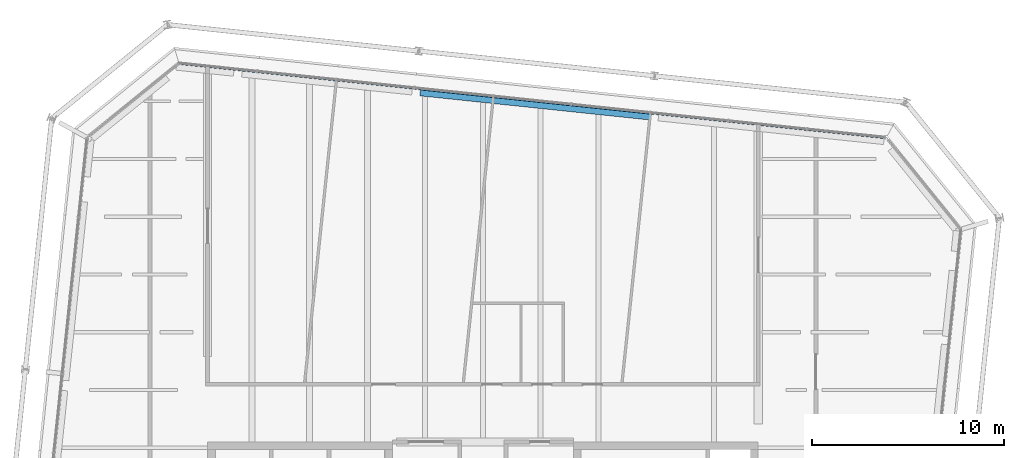
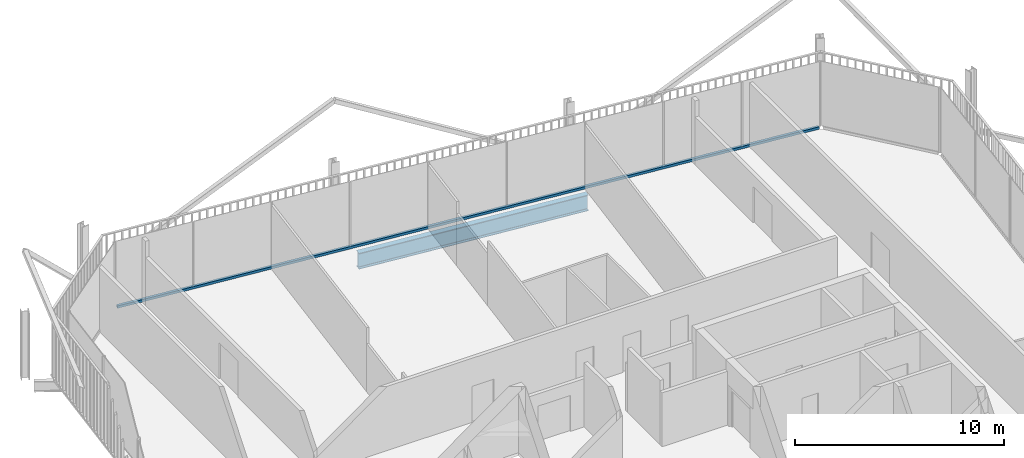
# One storey, part 13 of 21: 1 beam, 1 member, 1 element without a shape of its own.
"""IFC4 building model written with IfcOpenShell, lengths in metres."""

from ifc_helpers import new_model, si_unit, direction, frame, origin, origin_2d, place, context, subcontext, project, spatial, rectangle, i_section, extrude, material, layer, layer_set, material_profile, profile_set, type_object, element, aggregate, save


model = new_model("IFC4")

# Units and contexts
model_context = context("Model", 3, precision=1e-05, world=origin(), true_north=direction((0.0, 1.0)))
body_context = subcontext(model_context, "Body", "Model", "MODEL_VIEW")
ifc_project = project(units=[si_unit("LENGTHUNIT", "METRE"), si_unit("AREAUNIT", "SQUARE_METRE"), si_unit("VOLUMEUNIT", "CUBIC_METRE"), si_unit("PLANEANGLEUNIT", "RADIAN"), si_unit("MASSUNIT", "GRAM", prefix="KILO")], contexts=[model_context])

# Site, building, storey
site_placement = place(None, origin())
site = spatial("IfcSite", under=ifc_project, at=site_placement, CompositionType="ELEMENT")
building_placement = place(site_placement, origin())
building = spatial("IfcBuilding", under=site, at=building_placement, Name="Millrace Tower", CompositionType="ELEMENT")
storey_placement = place(building_placement, frame((0.0, 0.0, 276.0)))
storey = spatial("IfcBuildingStorey", under=building, at=storey_placement, Name="L63", CompositionType="ELEMENT", Elevation=276.0)

# Curtain wall, member
ifc_material_1 = material(Name="Aluminium and glass", Category="aluminium")
ifc_layer = layer(ifc_material_1, 0.14990234375)
ifc_layer_set = layer_set([ifc_layer], Name="Aluminium and glass")
curtain_wall_type = type_object("IfcCurtainWallType", Name="CW-1 office vision curtain wall", PredefinedType="NOTDEFINED", material=ifc_layer_set)
curtain_wall_placement = place(storey_placement, origin())
curtain_wall = element("IfcCurtainWall", 1, at=curtain_wall_placement, inside=storey, type_object=curtain_wall_type, Name="Curtain wall E-F06 L63", PredefinedType="NOTDEFINED")
ifc_material_2 = material(Name="Aluminium", Category="aluminium")
ifc_material_profile_1 = material_profile(ifc_material_2, rectangle(XDim=0.14990234375, YDim=0.139892578125, at=origin_2d()))
ifc_profile_set_1 = profile_set([ifc_material_profile_1], Name="Aluminium")
member_type = type_object("IfcMemberType", Name="CW-1 office vision curtain wall transom", PredefinedType="USERDEFINED", material=ifc_profile_set_1)
member_placement = place(storey_placement, frame((20.83544921875, 25.1318359375, 0.070068359375), z_axis=(-0.994521952886, 0.104527916025, 0.0), x_axis=(-0.104527916025, -0.994521952886, 0.0)))
member = element("IfcMember", 2, at=member_placement, type_object=member_type, Name="CW1 transom E-F06.1", ObjectType="TRANSOM", PredefinedType="USERDEFINED", context=body_context, shape_type="SweptSolid", body=[
    extrude(rectangle(XDim=0.14990234375, YDim=0.139892578125, at=origin_2d()), origin(), (0.0, 0.0, 1.0), 36.699951171875),
])
aggregate(curtain_wall, [member])

# Beam
ifc_material_3 = material(Name="Steel ASTM A992 Grade 50", Category="steel")
ifc_material_profile_2 = material_profile(ifc_material_3, i_section(OverallWidth=0.307373046875, OverallDepth=0.927001953125, WebThickness=0.01953125, FlangeThickness=0.031982421875, FilletRadius=0.01904296875, at=origin_2d()))
ifc_profile_set_2 = profile_set([ifc_material_profile_2], Name="Steel ASTM A992 Grade 50")
beam_type = type_object("IfcBeamType", Name="Ring beam medium span W36x194", PredefinedType="SPANDREL", material=ifc_profile_set_2)
beam_placement = place(storey_placement, frame((-3.26318359375, 27.434814453125, -0.62353515625), z_axis=(0.994521595967, -0.104531311843, 0.0), x_axis=(0.104531311843, 0.994521595967, 0.0)))
element("IfcBeam", 3, at=beam_placement, inside=storey, type_object=beam_type, Name="RNG-E-L63-S1-06", PredefinedType="SPANDREL", context=body_context, shape_type="SweptSolid", body=[
    extrude(i_section(OverallWidth=0.307373046875, OverallDepth=0.927001953125, WebThickness=0.01953125, FlangeThickness=0.031982421875, FilletRadius=0.01904296875, at=origin_2d()), origin(), (0.0, 0.0, 1.0), 12.007080078125),
])

save(model, "model.ifc")
